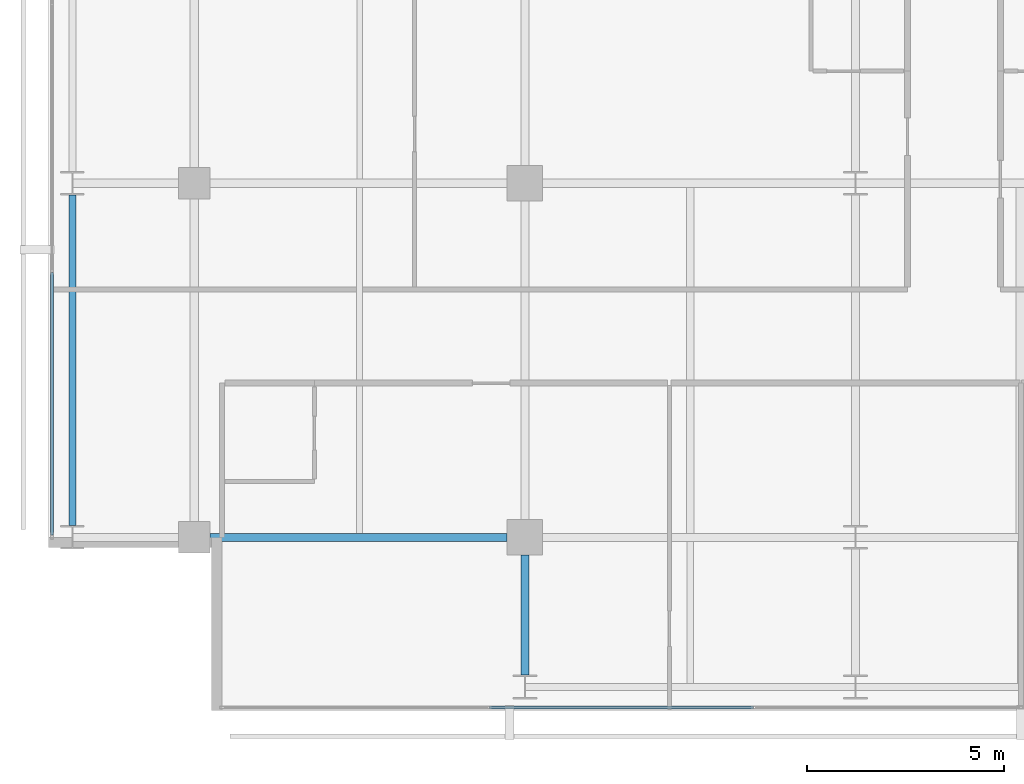
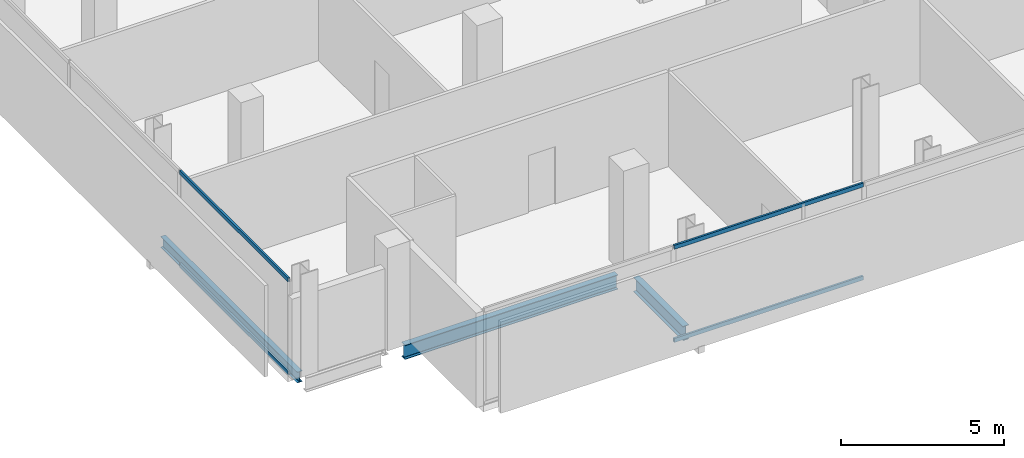
# One storey, part 3 of 32: 4 members, 3 beams, 2 elements without a shape of their own.
"""IFC4 building model written with IfcOpenShell, lengths in metres."""

from ifc_helpers import new_model, si_unit, direction, frame, origin, origin_2d, place, context, subcontext, project, spatial, hollow_rectangle, i_section, extrude, material, layer, layer_set, material_profile, profile_set, type_object, element, aggregate, save


model = new_model("IFC4")

# Units and contexts
model_context = context("Model", 3, precision=1e-05, world=origin(), true_north=direction((0.0, 1.0)))
body_context = subcontext(model_context, "Body", "Model", "MODEL_VIEW")
ifc_project = project(units=[si_unit("LENGTHUNIT", "METRE"), si_unit("AREAUNIT", "SQUARE_METRE"), si_unit("VOLUMEUNIT", "CUBIC_METRE"), si_unit("PLANEANGLEUNIT", "RADIAN"), si_unit("MASSUNIT", "GRAM", prefix="KILO")], contexts=[model_context])

# Site, building, storey
site_placement = place(None, origin())
site = spatial("IfcSite", under=ifc_project, at=site_placement, CompositionType="ELEMENT")
building_placement = place(site_placement, origin())
building = spatial("IfcBuilding", under=site, at=building_placement, Name="Maruvema Waterfront Hotel and Observation Tower", CompositionType="ELEMENT")
storey_placement = place(building_placement, frame((0.0, 0.0, 223.64990234375)))
storey = spatial("IfcBuildingStorey", under=building, at=storey_placement, Name="L55", CompositionType="ELEMENT", Elevation=223.64990234375)

# Curtain wall, members
ifc_material_1 = material(Name="Anodised bronze aluminium and solar-control low-E IGU", Category="aluminium")
ifc_layer = layer(ifc_material_1, 0.159912109375, Name="Zone 2 Amber Inner Thermal Curtain Wall System CW-03")
ifc_layer_set = layer_set([ifc_layer], Name="Anodised bronze aluminium and solar-control low-E IGU")
curtain_wall_type = type_object("IfcCurtainWallType", Name="Zone 2 Amber Inner Thermal Curtain Wall System CW-03", PredefinedType="USERDEFINED", material=ifc_layer_set)
curtain_wall_1_placement = place(storey_placement, origin())
curtain_wall_1 = element("IfcCurtainWall", 1, at=curtain_wall_1_placement, inside=storey, type_object=curtain_wall_type, Name="L55 Curtain Wall CW-L55-S", ObjectType="UNITISED CURTAIN WALL", PredefinedType="USERDEFINED")
ifc_material_2 = material(Name="Anodised architectural bronze aluminium", Category="aluminium")
ifc_material_profile_1 = material_profile(ifc_material_2, hollow_rectangle(XDim=0.070068359375, YDim=0.14990234375, WallThickness=0.00390625, at=origin_2d()), Name="ALU-T70x150")
ifc_profile_set_1 = profile_set([ifc_material_profile_1], Name="Anodised architectural bronze aluminium")
member_type = type_object("IfcMemberType", Name="Curtain Wall Horizontal Transom ALU-T70x150", PredefinedType="USERDEFINED", material=ifc_profile_set_1)
member_1_placement = place(storey_placement, frame((24.296630859375, 4.679931640625, 0.030029296875), z_axis=(1.0, 0.0, 0.0), x_axis=(0.0, 1.0, 0.0)))
member_1 = element("IfcMember", 2, at=member_1_placement, type_object=member_type, Name="CW-03 transom 2.1", ObjectType="TRANSOM", PredefinedType="USERDEFINED", context=body_context, shape_type="SweptSolid", body=[
    extrude(hollow_rectangle(XDim=0.070068359375, YDim=0.14990234375, WallThickness=0.00390625, at=origin_2d()), origin(), (0.0, 0.0, 1.0), 6.706787109375),
])
member_2_placement = place(storey_placement, frame((24.296630859375, 4.679931640625, 3.52001953125), z_axis=(1.0, 0.0, 0.0), x_axis=(0.0, 1.0, 0.0)))
member_2 = element("IfcMember", 3, at=member_2_placement, type_object=member_type, Name="CW-03 transom 2.2", ObjectType="TRANSOM", PredefinedType="USERDEFINED", context=body_context, shape_type="SweptSolid", body=[
    extrude(hollow_rectangle(XDim=0.070068359375, YDim=0.14990234375, WallThickness=0.00390625, at=origin_2d()), origin(), (0.0, 0.0, 1.0), 6.706787109375),
])
aggregate(curtain_wall_1, [member_1, member_2])

curtain_wall_2_placement = place(storey_placement, origin())
curtain_wall_2 = element("IfcCurtainWall", 4, at=curtain_wall_2_placement, inside=storey, type_object=curtain_wall_type, Name="L55 Curtain Wall CW-L55-W", ObjectType="UNITISED CURTAIN WALL", PredefinedType="USERDEFINED")
member_3_placement = place(storey_placement, frame((13.179931640625, 15.736572265625, 0.030029296875), z_axis=(0.0, -1.0, 0.0), x_axis=(1.0, 0.0, 0.0)))
member_3 = element("IfcMember", 5, at=member_3_placement, type_object=member_type, Name="CW-03 transom 6.1", ObjectType="TRANSOM", PredefinedType="USERDEFINED", context=body_context, shape_type="SweptSolid", body=[
    extrude(hollow_rectangle(XDim=0.070068359375, YDim=0.14990234375, WallThickness=0.00390625, at=origin_2d()), origin(), (0.0, 0.0, 1.0), 6.676513671875),
])
member_4_placement = place(storey_placement, frame((13.179931640625, 15.736572265625, 3.52001953125), z_axis=(0.0, -1.0, 0.0), x_axis=(1.0, 0.0, 0.0)))
member_4 = element("IfcMember", 6, at=member_4_placement, type_object=member_type, Name="CW-03 transom 6.2", ObjectType="TRANSOM", PredefinedType="USERDEFINED", context=body_context, shape_type="SweptSolid", body=[
    extrude(hollow_rectangle(XDim=0.070068359375, YDim=0.14990234375, WallThickness=0.00390625, at=origin_2d()), origin(), (0.0, 0.0, 1.0), 6.676513671875),
])
aggregate(curtain_wall_2, [member_3, member_4])

# Beams
ifc_material_3 = material(Name="Steel ASTM A572 Grade 50", Category="steel")
ifc_material_profile_2 = material_profile(ifc_material_3, i_section(OverallWidth=0.178955078125, OverallDepth=0.409912109375, WebThickness=0.0087890625, FlangeThickness=0.014404296875, FilletRadius=0.014892578125, at=origin_2d()), Name="W410x67.0")
ifc_profile_set_2 = profile_set([ifc_material_profile_2], Name="Steel ASTM A572 Grade 50")
beam_type_1 = type_object("IfcBeamType", Name="Perimeter Spandrel Beam W410x67.0", PredefinedType="SPANDREL", material=ifc_profile_set_2)
beam_1_placement = place(storey_placement, frame((13.699951171875, 9.300048828125, -0.44482421875), z_axis=(0.0, 1.0, 0.0), x_axis=(-1.0, 0.0, 0.0)))
element("IfcBeam", 7, at=beam_1_placement, inside=storey, type_object=beam_type_1, Name="L55 Floor Girder NS-01", PredefinedType="SPANDREL", context=body_context, shape_type="SweptSolid", body=[
    extrude(i_section(OverallWidth=0.178955078125, OverallDepth=0.409912109375, WebThickness=0.0087890625, FlangeThickness=0.014404296875, FilletRadius=0.014892578125, at=origin_2d()), origin(), (0.0, 0.0, 1.0), 8.39990234375),
])
ifc_material_4 = material(Name="Steel ASTM A572 Grade 50", Category="steel")
ifc_material_profile_3 = material_profile(ifc_material_4, i_section(OverallWidth=0.2109375, OverallDepth=0.5390625, WebThickness=0.01171875, FlangeThickness=0.018798828125, FilletRadius=0.014892578125, at=origin_2d()), Name="W530x109.0")
ifc_profile_set_3 = profile_set([ifc_material_profile_3], Name="Steel ASTM A572 Grade 50")
beam_type_2 = type_object("IfcBeamType", Name="Primary Floor Girder W530x109.0", PredefinedType="BEAM", material=ifc_profile_set_3)
beam_2_placement = place(storey_placement, frame((17.199951171875, 9.0, -0.509521484375), z_axis=(1.0, 0.0, 0.0), x_axis=(0.0, 1.0, 0.0)))
element("IfcBeam", 8, at=beam_2_placement, inside=storey, type_object=beam_type_2, Name="L55 Floor Girder EW-05", PredefinedType="BEAM", context=body_context, shape_type="SweptSolid", body=[
    extrude(i_section(OverallWidth=0.2109375, OverallDepth=0.5390625, WebThickness=0.01171875, FlangeThickness=0.018798828125, FilletRadius=0.014892578125, at=origin_2d()), origin(), (0.0, 0.0, 1.0), 7.550048828125),
])
beam_3_placement = place(storey_placement, frame((25.199951171875, 5.5, -0.509521484375), z_axis=(0.0, 1.0, 0.0), x_axis=(-1.0, 0.0, 0.0)))
element("IfcBeam", 9, at=beam_3_placement, inside=storey, type_object=beam_type_2, Name="L55 Floor Girder NS-09", PredefinedType="BEAM", context=body_context, shape_type="SweptSolid", body=[
    extrude(i_section(OverallWidth=0.2109375, OverallDepth=0.5390625, WebThickness=0.01171875, FlangeThickness=0.018798828125, FilletRadius=0.014892578125, at=origin_2d()), origin(), (0.0, 0.0, 1.0), 3.050048828125),
])

save(model, "model.ifc")
